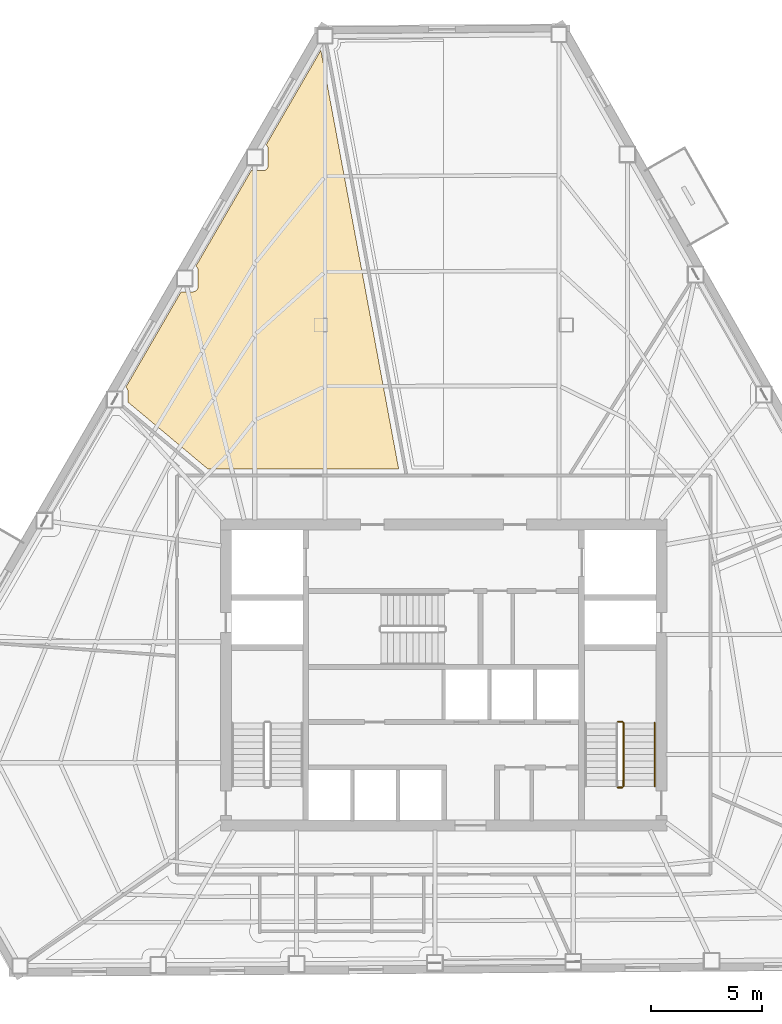
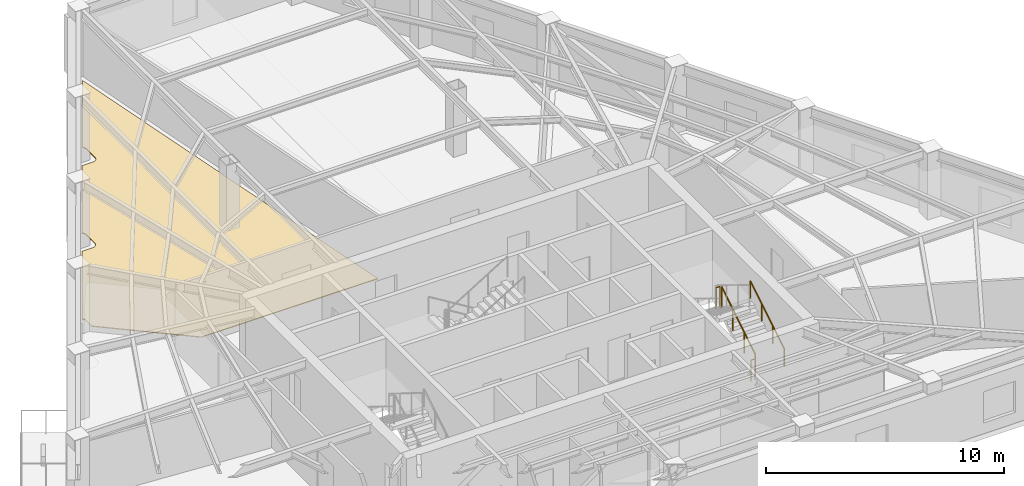
# One storey, part 9 of 10: 4 railings, 1 covering.
"""IFC4 building model written with IfcOpenShell, lengths in metres."""

from ifc_helpers import new_model, si_unit, direction, frame, origin, origin_2d, place, context, subcontext, project, spatial, polyline, circle, outline, extrude, material, layer, layer_set, type_object, element, save


model = new_model("IFC4")

# Units and contexts
model_context = context("Model", 3, precision=1e-05, world=origin(), true_north=direction((0.0, 1.0)))
body_context = subcontext(model_context, "Body", "Model", "MODEL_VIEW")
ifc_project = project(units=[si_unit("LENGTHUNIT", "METRE"), si_unit("AREAUNIT", "SQUARE_METRE"), si_unit("VOLUMEUNIT", "CUBIC_METRE"), si_unit("PLANEANGLEUNIT", "RADIAN"), si_unit("MASSUNIT", "GRAM", prefix="KILO")], contexts=[model_context])

# Site, building, storey
site_placement = place(None, origin())
site = spatial("IfcSite", under=ifc_project, at=site_placement, CompositionType="ELEMENT")
building_placement = place(site_placement, origin())
building = spatial("IfcBuilding", under=site, at=building_placement, Name="Kavelnor Concourse Tower", CompositionType="ELEMENT")
storey_placement = place(building_placement, frame((0.0, 0.0, 150.949951171875)))
storey = spatial("IfcBuildingStorey", under=building, at=storey_placement, Name="L38", CompositionType="ELEMENT", Elevation=150.949951171875)

# Covering
ifc_material_1 = material(Name="Honed bluestone and raised access floor finish", Category="masonry")
ifc_layer = layer(ifc_material_1, 0.0400390625, Name="Honed bluestone and raised access floor finish")
ifc_layer_set = layer_set([ifc_layer], Name="Honed bluestone and raised access floor finish")
covering_type = type_object("IfcCoveringType", Name="COV-FLOOR-STONE", PredefinedType="FLOORING", material=ifc_layer_set)
covering_placement = place(storey_placement, frame((0.0, 0.0, 0.001953125)))
element("IfcCovering", 1, at=covering_placement, inside=storey, type_object=covering_type, Name="L38 Honed Bluestone Floor Finish", PredefinedType="FLOORING", context=body_context, shape_type="SweptSolid", body=[
    extrude(outline(polyline([(26.76513671875, 33.2958984375), (26.78857421875, 33.299560546875), (26.811279296875, 33.30517578125), (26.83349609375, 33.31298828125), (26.85498046875, 33.3232421875), (26.875, 33.335205078125), (26.89404296875, 33.349365234375), (26.91162109375, 33.365234375), (26.92724609375, 33.3828125), (26.94140625, 33.401611328125), (26.95361328125, 33.421875), (26.963623046875, 33.443115234375), (26.971435546875, 33.46533203125), (26.977294921875, 33.48828125), (26.980712890625, 33.511474609375), (26.981689453125, 33.52978515625), (26.981689453125, 34.260498046875), (26.980712890625, 34.27880859375), (26.977294921875, 34.302001953125), (26.971435546875, 34.32470703125), (26.963623046875, 34.346923828125), (26.95361328125, 34.368408203125), (26.94140625, 34.388671875), (26.92724609375, 34.407470703125), (26.91162109375, 34.425048828125), (26.89404296875, 34.44091796875), (26.8857421875, 34.447021484375), (29.36474609375, 38.730224609375), (29.892578125, 38.730224609375), (29.91064453125, 38.731201171875), (29.93408203125, 38.734619140625), (29.956787109375, 38.740234375), (29.97900390625, 38.748291015625), (30.00048828125, 38.75830078125), (30.0205078125, 38.7705078125), (30.03955078125, 38.784423828125), (30.056884765625, 38.80029296875), (30.07275390625, 38.81787109375), (30.0869140625, 38.836669921875), (30.09912109375, 38.85693359375), (30.109130859375, 38.87841796875), (30.116943359375, 38.900390625), (30.122802734375, 38.92333984375), (30.126220703125, 38.946533203125), (30.127197265625, 38.96484375), (30.127197265625, 39.695556640625), (30.126220703125, 39.7138671875), (30.122802734375, 39.737060546875), (30.116943359375, 39.760009765625), (30.109130859375, 39.781982421875), (30.09912109375, 39.803466796875), (30.0869140625, 39.82373046875), (30.07275390625, 39.842529296875), (30.056884765625, 39.860107421875), (30.03955078125, 39.8759765625), (30.031494140625, 39.882080078125), (32.490478515625, 44.131103515625), (35.98046875, 25.3525390625), (27.40771484375, 25.3525390625), (23.8359375, 28.342529296875), (23.8359375, 28.825439453125), (23.835205078125, 28.84375), (23.83154296875, 28.866943359375), (23.825927734375, 28.889892578125), (23.818115234375, 28.912109375), (23.807861328125, 28.933349609375), (23.7958984375, 28.95361328125), (23.78173828125, 28.972412109375), (23.765869140625, 28.989990234375), (23.748291015625, 29.005859375), (23.740234375, 29.011962890625), (26.21923828125, 33.295166015625), (26.7470703125, 33.295166015625), (26.76513671875, 33.2958984375)])), origin(), (0.0, 0.0, 1.0), 0.0400390625),
])

# Railings
ifc_material_2 = material(Name="Steel Grade 350", Category="steel")
railing_type_1 = type_object("IfcRailingType", Name="RLG-GUARD-1100", PredefinedType="GUARDRAIL", material=ifc_material_2)
railing_1_placement = place(storey_placement, frame((46.070068359375, 11.10009765625, 0.175048828125)))
element("IfcRailing", 2, at=railing_1_placement, inside=storey, type_object=railing_type_1, Name="L38 ST2 stair guard 1", PredefinedType="GUARDRAIL", context=body_context, shape_type="SweptSolid", body=[
    extrude(circle(Radius=0.02392578125, at=origin_2d()), frame((0.0, 0.0, 1.076171875), z_axis=(0.0, 0.852159232446, 0.523282564737), x_axis=(-1.0, 0.0, 0.0)), (0.0, 0.0, 1.0), 3.34423828125),
    extrude(circle(Radius=0.02099609375, at=origin_2d()), origin(), (0.0, 0.0, 1.0), 1.052001953125),
    extrude(circle(Radius=0.02099609375, at=origin_2d()), frame((0.0, 0.949951171875, 0.583251953125)), (0.0, 0.0, 1.0), 1.052001953125),
    extrude(circle(Radius=0.02099609375, at=origin_2d()), frame((0.0, 1.89990234375, 1.166748046875)), (0.0, 0.0, 1.0), 1.052001953125),
    extrude(circle(Radius=0.02099609375, at=origin_2d()), frame((0.0, 2.849853515625, 1.75)), (0.0, 0.0, 1.0), 1.052001953125),
])
for number, where, name in (
    (3, (46.02001953125, 14.0, 1.925048828125), "L38 ST2 stair guard 2"),
    (4, (46.02001953125, 11.050048828125, 0.0), "L38 ST2 stair guard 4"),
):
    element("IfcRailing", number, at=place(storey_placement, frame(where)), inside=storey, type_object=railing_type_1, Name=name, PredefinedType="GUARDRAIL", context=body_context, shape_type="SweptSolid", body=[
        extrude(circle(Radius=0.02392578125, at=origin_2d()), frame((0.0, 0.0, 1.076171875), z_axis=(-1.0, 0.0, 0.0), x_axis=(0.0, -1.0, 0.0)), (0.0, 0.0, 1.0), 0.199951171875),
        extrude(circle(Radius=0.02099609375, at=origin_2d()), origin(), (0.0, 0.0, 1.0), 1.052001953125),
        extrude(circle(Radius=0.02099609375, at=origin_2d()), frame((-0.199951171875, 0.0, 0.0)), (0.0, 0.0, 1.0), 1.052001953125),
    ])
railing_type_2 = type_object("IfcRailingType", Name="RLG-HANDRAIL-900", PredefinedType="HANDRAIL", material=ifc_material_2)
railing_2_placement = place(storey_placement, frame((47.469970703125, 11.10009765625, 0.175048828125)))
element("IfcRailing", 5, at=railing_2_placement, inside=storey, type_object=railing_type_2, Name="L38 ST2 stair handrail 1", PredefinedType="HANDRAIL", context=body_context, shape_type="SweptSolid", body=[
    extrude(circle(Radius=0.02392578125, at=origin_2d()), frame((0.0, 0.0, 0.8759765625), z_axis=(0.0, 0.852159232446, 0.523282564737), x_axis=(-1.0, 0.0, 0.0)), (0.0, 0.0, 1.0), 3.34423828125),
    extrude(circle(Radius=0.02099609375, at=origin_2d()), origin(), (0.0, 0.0, 1.0), 0.851806640625),
    extrude(circle(Radius=0.02099609375, at=origin_2d()), frame((0.0, 0.949951171875, 0.583251953125)), (0.0, 0.0, 1.0), 0.851806640625),
    extrude(circle(Radius=0.02099609375, at=origin_2d()), frame((0.0, 1.89990234375, 1.166748046875)), (0.0, 0.0, 1.0), 0.851806640625),
    extrude(circle(Radius=0.02099609375, at=origin_2d()), frame((0.0, 2.849853515625, 1.75)), (0.0, 0.0, 1.0), 0.851806640625),
])

save(model, "model.ifc")
